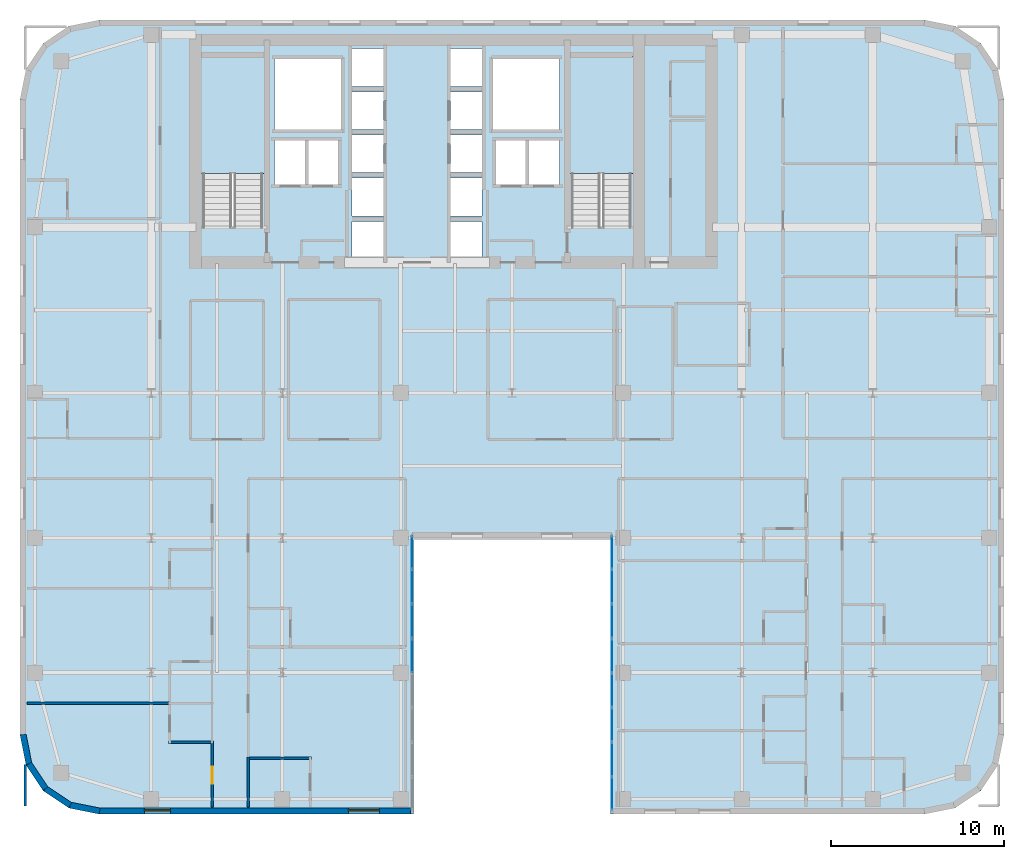
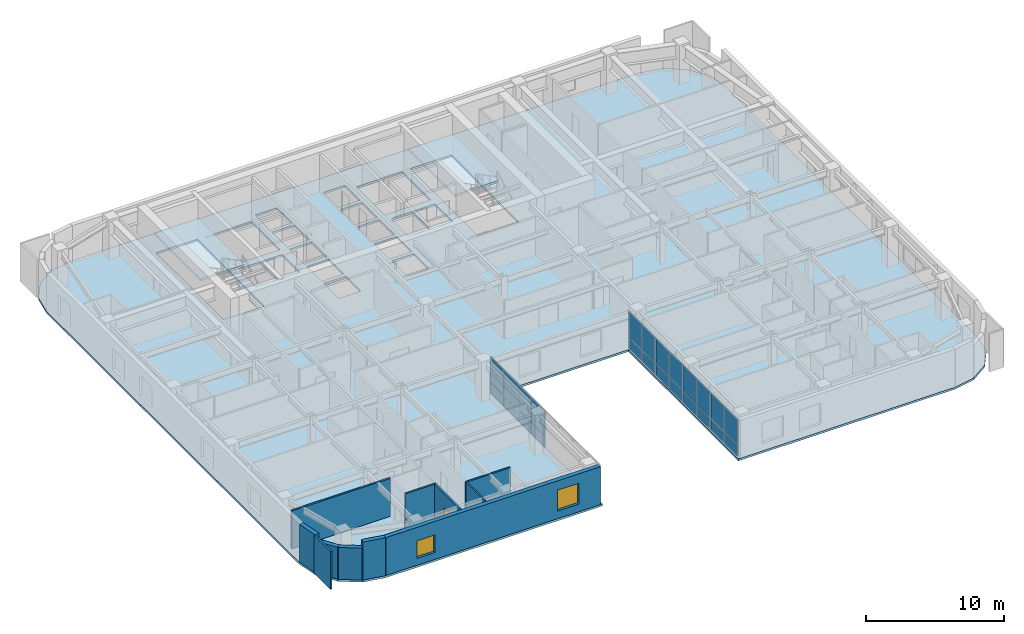
# One storey, part 9 of 16: 24 plates, 11 walls, 3 slabs, 2 windows, 1 door, 3 openings, 4 elements without a shape of their own.
"""IFC4 building model written with IfcOpenShell, lengths in metres."""

import ifcopenshell
import ifcopenshell.guid

model = None  # the IFC model being written
_history = None  # IfcOwnerHistory: only IFC2X3 demands one
_inside = {}  # id of a spatial element -> (the spatial element, [elements in it])
_under = {}  # id of a project, library or spatial element -> (it, [spatial elements below it])
_declared = {}  # id of a project -> (the project, [libraries it declares])
_typed = {}  # id of a type object -> (the type object, [elements of that type])
_made_of = {}  # id of a material, layer set ... -> (it, [elements and type objects made of it])


def new_model(schema):
    """Start an empty IFC model of exactly this schema.

    Asked for "IFC4X3", IfcOpenShell would pick the latest addendum, in which some entities
    have other attributes; the version numbers below select the first issue.
    IFC2X3 requires an IfcOwnerHistory on every rooted entity: one is made here for all.
    """
    global model, _history
    if schema == "IFC4X3":
        model = ifcopenshell.file(schema_version=(4, 3, 0, 0))
    else:
        model = ifcopenshell.file(schema=schema)
    _inside.clear()
    _under.clear()
    _declared.clear()
    _typed.clear()
    _made_of.clear()
    _history = None
    if model.schema == "IFC2X3":
        org = make("IfcOrganization", Name="unknown")
        user = make(
            "IfcPersonAndOrganization",
            ThePerson=make("IfcPerson", FamilyName="unknown"),
            TheOrganization=org,
        )
        app = make(
            "IfcApplication",
            ApplicationDeveloper=org,
            Version="unknown",
            ApplicationFullName="unknown",
            ApplicationIdentifier="unknown",
        )
        _history = make(
            "IfcOwnerHistory",
            OwningUser=user,
            OwningApplication=app,
            ChangeAction="ADDED",
            CreationDate=0,
        )
    return model


def make(cls, **values):
    """One entity of the class cls with the attributes given. An attribute that is None is left unset."""
    return model.create_entity(
        cls, **{name: value for name, value in values.items() if value is not None}
    )


def rooted(cls, **values):
    """An entity with a GlobalId (a new one), such as an element, a storey or a relation."""
    return make(cls, GlobalId=ifcopenshell.guid.new(), OwnerHistory=_history, **values)


def si_unit(unit_type, name, prefix=None):
    """IfcSIUnit, for example si_unit("LENGTHUNIT", "METRE", prefix="MILLI")."""
    return make("IfcSIUnit", UnitType=unit_type, Prefix=prefix, Name=name)


def assignment(units):
    """IfcUnitAssignment: the units of a project."""
    return None if units is None else make("IfcUnitAssignment", Units=units)


def point(xyz):
    """IfcCartesianPoint."""
    return None if xyz is None else make("IfcCartesianPoint", Coordinates=xyz)


def direction(xyz):
    """IfcDirection."""
    return None if xyz is None else make("IfcDirection", DirectionRatios=xyz)


def frame(location, z_axis=None, x_axis=None):
    """IfcAxis2Placement3D, a coordinate frame: its origin and axes. An axis left out is left unset."""
    return make(
        "IfcAxis2Placement3D",
        Location=point(location),
        Axis=direction(z_axis),
        RefDirection=direction(x_axis),
    )


def frame_2d(location, x_axis=None):
    """IfcAxis2Placement2D, a coordinate frame in the plane: its origin and x axis."""
    return make(
        "IfcAxis2Placement2D", Location=point(location), RefDirection=direction(x_axis)
    )


def origin():
    """The frame at (0, 0, 0) with its axes left unset."""
    return frame((0.0, 0.0, 0.0))


def origin_2d():
    """The frame at (0, 0) in the plane with its x axis left unset."""
    return frame_2d((0.0, 0.0))


def place(relative_to, where):
    """IfcLocalPlacement: puts the frame where relative to a parent placement (None: the world)."""
    return make(
        "IfcLocalPlacement", PlacementRelTo=relative_to, RelativePlacement=where
    )


def context(
    kind, dimensions, precision=None, world=None, true_north=None, identifier=None
):
    """IfcGeometricRepresentationContext, for example the 3D "Model" context."""
    return make(
        "IfcGeometricRepresentationContext",
        ContextIdentifier=identifier,
        ContextType=kind,
        CoordinateSpaceDimension=dimensions,
        Precision=precision,
        WorldCoordinateSystem=world,
        TrueNorth=true_north,
    )


def subcontext(parent, identifier, kind, view, scale=None):
    """IfcGeometricRepresentationSubContext, for example "Body" below "Model"."""
    return make(
        "IfcGeometricRepresentationSubContext",
        ContextIdentifier=identifier,
        ContextType=kind,
        ParentContext=parent,
        TargetScale=scale,
        TargetView=view,
    )


def project(units=None, contexts=None):
    """IfcProject with its units and contexts."""
    return rooted(
        "IfcProject",
        Name="project",
        RepresentationContexts=contexts,
        UnitsInContext=assignment(units),
    )


def spatial(cls, under=None, at=None, **own):
    """A site, building, storey or space (cls), placed at a placement, below another one or the project."""
    s = rooted(cls, ObjectPlacement=at, **own)
    if under is not None:
        _under.setdefault(under.id(), (under, []))[1].append(s)
    return s


def polyline(points):
    """IfcPolyline through the points."""
    return make("IfcPolyline", Points=[point(p) for p in points])


def profile(cls, at=None, kind="AREA", **sizes):
    """A parametric profile (cls). Its sizes go by their IFC names, for example OverallWidth=200.0."""
    return make(cls, ProfileType=kind, Position=at, **sizes)


def rectangle(**sizes):
    """IfcRectangleProfileDef."""
    return profile("IfcRectangleProfileDef", **sizes)


def outline(outer, holes=None, kind="AREA"):
    """IfcArbitraryClosedProfileDef: a profile drawn as a closed curve; with holes, ...WithVoids."""
    if holes is None:
        return make("IfcArbitraryClosedProfileDef", ProfileType=kind, OuterCurve=outer)
    return make(
        "IfcArbitraryProfileDefWithVoids",
        ProfileType=kind,
        OuterCurve=outer,
        InnerCurves=holes,
    )


def extrude(swept, where, along, depth):
    """IfcExtrudedAreaSolid: the profile swept, set in the frame where, extruded along a direction by depth."""
    return make(
        "IfcExtrudedAreaSolid",
        SweptArea=swept,
        Position=where,
        ExtrudedDirection=direction(along),
        Depth=depth,
    )


def shape(context_of_items, identifier, shape_type, items):
    """IfcShapeRepresentation: the items that make up one representation, for example the "Body"."""
    return make(
        "IfcShapeRepresentation",
        ContextOfItems=context_of_items,
        RepresentationIdentifier=identifier,
        RepresentationType=shape_type,
        Items=items,
    )


def source(mapping_origin, context_of_items, identifier, shape_type, items):
    """IfcRepresentationMap: a shape defined once, which mapped items show again and again."""
    return make(
        "IfcRepresentationMap",
        MappingOrigin=mapping_origin,
        MappedRepresentation=shape(context_of_items, identifier, shape_type, items),
    )


def transform(
    local_origin,
    x_axis=None,
    y_axis=None,
    z_axis=None,
    scale=None,
    scale2=None,
    scale3=None,
    uniform=True,
):
    """IfcCartesianTransformationOperator3D, or its non-uniform kind. x_axis, y_axis, z_axis: its Axis1, 2, 3."""
    if uniform:
        return make(
            "IfcCartesianTransformationOperator3D",
            Axis1=direction(x_axis),
            Axis2=direction(y_axis),
            LocalOrigin=point(local_origin),
            Scale=scale,
            Axis3=direction(z_axis),
        )
    return make(
        "IfcCartesianTransformationOperator3DnonUniform",
        Axis1=direction(x_axis),
        Axis2=direction(y_axis),
        LocalOrigin=point(local_origin),
        Scale=scale,
        Axis3=direction(z_axis),
        Scale2=scale2,
        Scale3=scale3,
    )


def mapped(mapping_source, mapping_target):
    """IfcMappedItem: shows the shape of a source again, moved by a transform."""
    return make(
        "IfcMappedItem", MappingSource=mapping_source, MappingTarget=mapping_target
    )


def material(Name=None, Category=None):
    """IfcMaterial."""
    return make("IfcMaterial", Name=Name, Category=Category)


def layer(
    of_material, thickness, ventilated=None, Name=None, Category=None, Priority=None
):
    """IfcMaterialLayer: one layer of a wall or slab, of a material (None: an air gap)."""
    return make(
        "IfcMaterialLayer",
        Material=of_material,
        LayerThickness=thickness,
        IsVentilated=ventilated,
        Name=Name,
        Category=Category,
        Priority=Priority,
    )


def layer_set(layers, Name=None):
    """IfcMaterialLayerSet."""
    return make("IfcMaterialLayerSet", MaterialLayers=layers, LayerSetName=Name)


def made_of(thing, what):
    """Note that an element or type object is made of a material, layer set ...; save() writes the relation."""
    if what is not None:
        _made_of.setdefault(what.id(), (what, []))[1].append(thing)
    return thing


def type_object(cls, material=None, **own):
    """A type object (cls), such as IfcWallType, which elements share."""
    return made_of(rooted(cls, **own), material)


def type_shapes(of_type, sources):
    """Give a type object the sources (RepresentationMaps) that its elements show as mapped items."""
    of_type.RepresentationMaps = sources


def element(
    cls,
    number,
    at=None,
    inside=None,
    cuts=None,
    type_object=None,
    material=None,
    context=None,
    identifier="Body",
    shape_type=None,
    held_by="IfcProductDefinitionShape",
    body=None,
    shapes=None,
    **own,
):
    """One element of the class cls, such as IfcWall. Its Tag is "e" and its number.

    at: its placement. inside: the storey or other place that contains it. cuts: it is an
    opening in that element (IfcRelVoidsElement). A single representation is given by context,
    identifier, shape_type and body (its items); several are given by shapes. held_by: the class
    of the entity that holds the representations. save() writes the other relations.
    """
    e = rooted(cls, Tag="e%d" % number, ObjectPlacement=at, **own)
    if body is not None:
        shapes = [shape(context, identifier, shape_type, body)]
    if shapes is not None:
        e.Representation = make(held_by, Representations=shapes)
    if inside is not None:
        _inside.setdefault(inside.id(), (inside, []))[1].append(e)
    if cuts is not None:
        rooted(
            "IfcRelVoidsElement", RelatingBuildingElement=cuts, RelatedOpeningElement=e
        )
    if type_object is not None:
        _typed.setdefault(type_object.id(), (type_object, []))[1].append(e)
    return made_of(e, material)


def fill(opening, filler):
    """IfcRelFillsElement: the door or window that sits in an opening."""
    return rooted(
        "IfcRelFillsElement",
        RelatingOpeningElement=opening,
        RelatedBuildingElement=filler,
    )


def aggregate(whole, parts):
    """IfcRelAggregates: a whole, such as a stair, and the parts it consists of."""
    return rooted("IfcRelAggregates", RelatingObject=whole, RelatedObjects=parts)


def save(model, path):
    """Write the relations noted so far, then the file.

    IfcRelAggregates (storeys below a building ...), IfcRelContainedInSpatialStructure (elements
    in a storey), IfcRelDefinesByType, IfcRelAssociatesMaterial and IfcRelDeclares: one each for
    every whole, place, type object, material and project.
    """
    for whole, parts in _under.values():
        aggregate(whole, parts)
    for where, things in _inside.values():
        rooted(
            "IfcRelContainedInSpatialStructure",
            RelatedElements=things,
            RelatingStructure=where,
        )
    for kind, things in _typed.values():
        rooted("IfcRelDefinesByType", RelatedObjects=things, RelatingType=kind)
    for what, things in _made_of.values():
        rooted("IfcRelAssociatesMaterial", RelatedObjects=things, RelatingMaterial=what)
    for by, libraries in _declared.values():
        rooted("IfcRelDeclares", RelatingContext=by, RelatedDefinitions=libraries)
    model.write(path)


model = new_model("IFC4")

# Units and contexts
model_context = context("Model", 3, precision=1e-05, world=origin(), true_north=direction((0.0, 1.0)))
body_context = subcontext(model_context, "Body", "Model", "MODEL_VIEW")
ifc_project = project(units=[si_unit("LENGTHUNIT", "METRE"), si_unit("AREAUNIT", "SQUARE_METRE"), si_unit("VOLUMEUNIT", "CUBIC_METRE"), si_unit("PLANEANGLEUNIT", "RADIAN"), si_unit("MASSUNIT", "GRAM", prefix="KILO")], contexts=[model_context])

# Site, building, storey
site_placement = place(None, origin())
site = spatial("IfcSite", under=ifc_project, at=site_placement, CompositionType="ELEMENT")
building_placement = place(site_placement, origin())
building = spatial("IfcBuilding", under=site, at=building_placement, Name="Tolvann Quenvar Hotel", CompositionType="ELEMENT")
storey_placement = place(building_placement, frame((0.0, 0.0, 115.10009765625)))
storey = spatial("IfcBuildingStorey", under=building, at=storey_placement, Name="L29", CompositionType="ELEMENT", Elevation=115.10009765625)

# Stair, slab
ifc_material_1 = material(Name="Concrete N40 (40 MPa)", Category="concrete")
stair_type = type_object("IfcStairType", Name="STAIR", PredefinedType="HALF_TURN_STAIR", material=ifc_material_1)
stair_1_placement = place(storey_placement, origin())
stair_1 = element("IfcStair", 1, at=stair_1_placement, inside=storey, type_object=stair_type, Name="L29 ST-C1", PredefinedType="HALF_TURN_STAIR")
ifc_layer_1 = layer(ifc_material_1, 0.199951171875)
ifc_layer_set_1 = layer_set([ifc_layer_1], Name="Concrete N40 (40 MPa)")
slab_type_1 = type_object("IfcSlabType", Name="SLAB_LANDING", PredefinedType="LANDING", material=ifc_layer_set_1)
slab_1_placement = place(storey_placement, frame((0.0, 0.0, 1.574951171875)))
slab_1 = element("IfcSlab", 2, at=slab_1_placement, type_object=slab_type_1, Name="ST-C1 landing 1", PredefinedType="LANDING", context=body_context, shape_type="SweptSolid", body=[
    extrude(outline(polyline([(14.179931640625, 37.10498046875), (14.179931640625, 43.8798828125), (10.469970703125, 43.8798828125), (10.469970703125, 37.10498046875), (14.179931640625, 37.10498046875)])), origin(), (0.0, 0.0, 1.0), 0.199951171875),
])
aggregate(stair_1, [slab_1])

stair_2_placement = place(storey_placement, origin())
stair_2 = element("IfcStair", 3, at=stair_2_placement, inside=storey, type_object=stair_type, Name="L29 ST-C2", PredefinedType="HALF_TURN_STAIR")
slab_2_placement = place(storey_placement, frame((0.0, 0.0, 1.574951171875)))
slab_2 = element("IfcSlab", 4, at=slab_2_placement, type_object=slab_type_1, Name="ST-C2 landing 1", PredefinedType="LANDING", context=body_context, shape_type="SweptSolid", body=[
    extrude(outline(polyline([(35.530029296875, 37.10498046875), (35.530029296875, 43.8798828125), (31.820068359375, 43.8798828125), (31.820068359375, 37.10498046875), (35.530029296875, 37.10498046875)])), origin(), (0.0, 0.0, 1.0), 0.199951171875),
])
aggregate(stair_2, [slab_2])

# Slab
ifc_layer_2 = layer(ifc_material_1, 0.179931640625)
ifc_layer_set_2 = layer_set([ifc_layer_2], Name="Concrete N40 (40 MPa)")
slab_type_2 = type_object("IfcSlabType", Name="SLAB_TWR_180", PredefinedType="FLOOR", material=ifc_layer_set_2)
slab_3_placement = place(storey_placement, frame((0.0, 0.0, -0.18017578125)))
element("IfcSlab", 5, at=slab_3_placement, inside=storey, type_object=slab_type_2, Name="Level L29 Structural Floor Slab", PredefinedType="FLOOR", context=body_context, shape_type="SweptSolid", body=[
    extrude(outline(polyline([(0.0, 4.60009765625), (0.35009765625, 2.839599609375), (1.347412109375, 1.347412109375), (2.839599609375, 0.35009765625), (4.60009765625, 0.0), (22.800048828125, 0.0), (22.800048828125, 16.0), (34.199951171875, 16.0), (34.199951171875, 0.0), (52.39990234375, 0.0), (54.160400390625, 0.35009765625), (55.652587890625, 1.347412109375), (56.64990234375, 2.839599609375), (57.0, 4.60009765625), (57.0, 41.39990234375), (56.64990234375, 43.160400390625), (55.652587890625, 44.652587890625), (54.160400390625, 45.64990234375), (52.39990234375, 46.0), (4.60009765625, 46.0), (2.839599609375, 45.64990234375), (1.347412109375, 44.652587890625), (0.35009765625, 43.160400390625), (0.0, 41.39990234375), (0.0, 4.60009765625)]), holes=[polyline([(31.949951171875, 34.02490234375), (31.949951171875, 43.800048828125), (35.39990234375, 43.800048828125), (35.39990234375, 34.02490234375), (31.949951171875, 34.02490234375)]), polyline([(29.449951171875, 39.02001953125), (31.25, 39.02001953125), (31.25, 36.47998046875), (29.449951171875, 36.47998046875), (29.449951171875, 39.02001953125)]), polyline([(31.25, 43.75), (31.25, 39.64990234375), (27.39990234375, 39.64990234375), (27.39990234375, 43.75), (31.25, 43.75)]), polyline([(27.574951171875, 39.02001953125), (29.324951171875, 39.02001953125), (29.324951171875, 36.47998046875), (27.574951171875, 36.47998046875), (27.574951171875, 39.02001953125)]), polyline([(26.77001953125, 44.340087890625), (26.77001953125, 42.159912109375), (24.929931640625, 42.159912109375), (24.929931640625, 44.340087890625), (26.77001953125, 44.340087890625)]), polyline([(24.929931640625, 41.840087890625), (26.77001953125, 41.840087890625), (26.77001953125, 39.659912109375), (24.929931640625, 39.659912109375), (24.929931640625, 41.840087890625)]), polyline([(24.929931640625, 39.340087890625), (26.77001953125, 39.340087890625), (26.77001953125, 37.159912109375), (24.929931640625, 37.159912109375), (24.929931640625, 39.340087890625)]), polyline([(24.929931640625, 36.840087890625), (26.77001953125, 36.840087890625), (26.77001953125, 34.659912109375), (24.929931640625, 34.659912109375), (24.929931640625, 36.840087890625)]), polyline([(24.929931640625, 34.340087890625), (26.77001953125, 34.340087890625), (26.77001953125, 32.159912109375), (24.929931640625, 32.159912109375), (24.929931640625, 34.340087890625)]), polyline([(21.070068359375, 44.340087890625), (21.070068359375, 42.159912109375), (19.22998046875, 42.159912109375), (19.22998046875, 44.340087890625), (21.070068359375, 44.340087890625)]), polyline([(19.22998046875, 41.840087890625), (21.070068359375, 41.840087890625), (21.070068359375, 39.659912109375), (19.22998046875, 39.659912109375), (19.22998046875, 41.840087890625)]), polyline([(19.22998046875, 39.340087890625), (21.070068359375, 39.340087890625), (21.070068359375, 37.159912109375), (19.22998046875, 37.159912109375), (19.22998046875, 39.340087890625)]), polyline([(19.22998046875, 36.840087890625), (21.070068359375, 36.840087890625), (21.070068359375, 34.659912109375), (19.22998046875, 34.659912109375), (19.22998046875, 36.840087890625)]), polyline([(19.22998046875, 34.340087890625), (21.070068359375, 34.340087890625), (21.070068359375, 32.159912109375), (19.22998046875, 32.159912109375), (19.22998046875, 34.340087890625)]), polyline([(18.60009765625, 43.75), (18.60009765625, 39.64990234375), (14.75, 39.64990234375), (14.75, 43.75), (18.60009765625, 43.75)]), polyline([(16.675048828125, 39.02001953125), (18.425048828125, 39.02001953125), (18.425048828125, 36.47998046875), (16.675048828125, 36.47998046875), (16.675048828125, 39.02001953125)]), polyline([(14.75, 39.02001953125), (16.550048828125, 39.02001953125), (16.550048828125, 36.47998046875), (14.75, 36.47998046875), (14.75, 39.02001953125)]), polyline([(10.60009765625, 34.02490234375), (10.60009765625, 43.800048828125), (14.050048828125, 43.800048828125), (14.050048828125, 34.02490234375), (10.60009765625, 34.02490234375)])]), origin(), (0.0, 0.0, 1.0), 0.18017578125),
])

# Curtain wall, plate
ifc_material_2 = material(Name="Thermally broken anodised architectural aluminium 6063-T6 and laminated low-E glass", Category="aluminium")
ifc_layer_3 = layer(ifc_material_2, 0.179931640625)
ifc_layer_set_3 = layer_set([ifc_layer_3], Name="Thermally broken anodised architectural aluminium 6063-T6 and laminated low-E glass")
curtain_wall_type = type_object("IfcCurtainWallType", Name="CW_SYS_SLOT_03", PredefinedType="USERDEFINED", material=ifc_layer_set_3)
curtain_wall_1_placement = place(storey_placement, origin())
curtain_wall_1 = element("IfcCurtainWall", 6, at=curtain_wall_1_placement, inside=storey, type_object=curtain_wall_type, Name="Curtain Wall CW-SLOT-03 (CWR-L29-E05)", ObjectType="UNITISED CURTAIN WALL", PredefinedType="USERDEFINED")
ifc_material_3 = material(Name="Low-iron laminated double glazing with solar-control coating", Category="glass")
ifc_layer_4 = layer(ifc_material_3, 0.028076171875)
ifc_layer_set_4 = layer_set([ifc_layer_4], Name="Low-iron laminated double glazing with solar-control coating")
plate_type = type_object("IfcPlateType", Name="CW_PAN_VISION_28", PredefinedType="CURTAIN_PANEL", material=ifc_layer_set_4)
shared_shape_1 = source(origin(), body_context, "Body", "SweptSolid", [
    extrude(rectangle(XDim=1.89501953125, YDim=0.028076171875, at=origin_2d()), origin(), (0.0, 0.0, 1.0), 0.9599609375),
])
plate_1_placement = place(storey_placement, frame((22.7099609375, 15.157470703125, 0.059814453125), z_axis=(0.0, 0.0, 1.0), x_axis=(0.0, 1.0, 0.0)))
plate_1 = element("IfcPlate", 7, at=plate_1_placement, type_object=plate_type, Name="CW-SLOT-03 panel 8.1", PredefinedType="CURTAIN_PANEL", context=body_context, shape_type="MappedRepresentation", body=[
    mapped(shared_shape_1, transform((0.0, 0.0, 0.0), x_axis=(1.0, 0.0, 0.0), y_axis=(0.0, 1.0, 0.0), z_axis=(0.0, 0.0, 1.0), scale=1.0)),
])

# Curtain wall, plates
curtain_wall_2_placement = place(storey_placement, origin())
curtain_wall_2 = element("IfcCurtainWall", 8, at=curtain_wall_2_placement, inside=storey, type_object=curtain_wall_type, Name="Curtain Wall CW-SLOT-03 (CWR-L29-E07)", ObjectType="UNITISED CURTAIN WALL", PredefinedType="USERDEFINED")
plate_2_placement = place(storey_placement, frame((34.2900390625, 15.157470703125, 0.059814453125), z_axis=(0.0, 0.0, 1.0), x_axis=(0.0, -1.0, 0.0)))
plate_2 = element("IfcPlate", 9, at=plate_2_placement, type_object=plate_type, Name="CW-SLOT-03 panel 1.1", PredefinedType="CURTAIN_PANEL", context=body_context, shape_type="MappedRepresentation", body=[
    mapped(shared_shape_1, transform((0.0, 0.0, 0.0), x_axis=(1.0, 0.0, 0.0), y_axis=(0.0, 1.0, 0.0), z_axis=(0.0, 0.0, 1.0), scale=1.0)),
])
plate_3_placement = place(storey_placement, frame((34.2900390625, 1.1923828125, 0.059814453125), z_axis=(0.0, 0.0, 1.0), x_axis=(0.0, -1.0, 0.0)))
plate_3 = element("IfcPlate", 10, at=plate_3_placement, type_object=plate_type, Name="CW-SLOT-03 panel 8.1", PredefinedType="CURTAIN_PANEL", context=body_context, shape_type="MappedRepresentation", body=[
    mapped(shared_shape_1, transform((0.0, 0.0, 0.0), x_axis=(1.0, 0.0, 0.0), y_axis=(0.0, 1.0, 0.0), z_axis=(0.0, 0.0, 1.0), scale=1.0)),
])

# Plate
shared_shape_2 = source(origin(), body_context, "Body", "SweptSolid", [
    extrude(rectangle(XDim=1.89501953125, YDim=0.028076171875, at=origin_2d()), origin(), (0.0, 0.0, 1.0), 2.22998046875),
])
plate_4_placement = place(storey_placement, frame((22.7099609375, 15.157470703125, 1.079833984375), z_axis=(0.0, 0.0, 1.0), x_axis=(0.0, 1.0, 0.0)))
plate_4 = element("IfcPlate", 11, at=plate_4_placement, type_object=plate_type, Name="CW-SLOT-03 panel 8.2", PredefinedType="CURTAIN_PANEL", context=body_context, shape_type="MappedRepresentation", body=[
    mapped(shared_shape_2, transform((0.0, 0.0, 0.0), x_axis=(1.0, 0.0, 0.0), y_axis=(0.0, 1.0, 0.0), z_axis=(0.0, 0.0, 1.0), scale=1.0)),
])

plate_5_placement = place(storey_placement, frame((34.2900390625, 15.157470703125, 1.079833984375), z_axis=(0.0, 0.0, 1.0), x_axis=(0.0, -1.0, 0.0)))
plate_5 = element("IfcPlate", 12, at=plate_5_placement, type_object=plate_type, Name="CW-SLOT-03 panel 1.2", PredefinedType="CURTAIN_PANEL", context=body_context, shape_type="MappedRepresentation", body=[
    mapped(shared_shape_2, transform((0.0, 0.0, 0.0), x_axis=(1.0, 0.0, 0.0), y_axis=(0.0, 1.0, 0.0), z_axis=(0.0, 0.0, 1.0), scale=1.0)),
])

plate_6_placement = place(storey_placement, frame((34.2900390625, 1.1923828125, 1.079833984375), z_axis=(0.0, 0.0, 1.0), x_axis=(0.0, -1.0, 0.0)))
plate_6 = element("IfcPlate", 13, at=plate_6_placement, type_object=plate_type, Name="CW-SLOT-03 panel 8.2", PredefinedType="CURTAIN_PANEL", context=body_context, shape_type="MappedRepresentation", body=[
    mapped(shared_shape_2, transform((0.0, 0.0, 0.0), x_axis=(1.0, 0.0, 0.0), y_axis=(0.0, 1.0, 0.0), z_axis=(0.0, 0.0, 1.0), scale=1.0)),
])

shared_shape_3 = source(origin(), body_context, "Body", "SweptSolid", [
    extrude(rectangle(XDim=1.929931640625, YDim=0.028076171875, at=origin_2d()), origin(), (0.0, 0.0, 1.0), 0.9599609375),
])
plate_7_placement = place(storey_placement, frame((22.7099609375, 9.175048828125, 0.059814453125), z_axis=(0.0, 0.0, 1.0), x_axis=(0.0, 1.0, 0.0)))
plate_7 = element("IfcPlate", 14, at=plate_7_placement, type_object=plate_type, Name="CW-SLOT-03 panel 5.1", PredefinedType="CURTAIN_PANEL", context=body_context, shape_type="MappedRepresentation", body=[
    mapped(shared_shape_3, transform((0.0, 0.0, 0.0), x_axis=(1.0, 0.0, 0.0), y_axis=(0.0, 1.0, 0.0), z_axis=(0.0, 0.0, 1.0), scale=1.0)),
])

plate_8_placement = place(storey_placement, frame((22.7099609375, 11.175048828125, 0.059814453125), z_axis=(0.0, 0.0, 1.0), x_axis=(0.0, 1.0, 0.0)))
plate_8 = element("IfcPlate", 15, at=plate_8_placement, type_object=plate_type, Name="CW-SLOT-03 panel 6.1", PredefinedType="CURTAIN_PANEL", context=body_context, shape_type="MappedRepresentation", body=[
    mapped(shared_shape_3, transform((0.0, 0.0, 0.0), x_axis=(1.0, 0.0, 0.0), y_axis=(0.0, 1.0, 0.0), z_axis=(0.0, 0.0, 1.0), scale=1.0)),
])

plate_9_placement = place(storey_placement, frame((22.7099609375, 13.175048828125, 0.059814453125), z_axis=(0.0, 0.0, 1.0), x_axis=(0.0, 1.0, 0.0)))
plate_9 = element("IfcPlate", 16, at=plate_9_placement, type_object=plate_type, Name="CW-SLOT-03 panel 7.1", PredefinedType="CURTAIN_PANEL", context=body_context, shape_type="MappedRepresentation", body=[
    mapped(shared_shape_3, transform((0.0, 0.0, 0.0), x_axis=(1.0, 0.0, 0.0), y_axis=(0.0, 1.0, 0.0), z_axis=(0.0, 0.0, 1.0), scale=1.0)),
])

plate_10_placement = place(storey_placement, frame((34.2900390625, 13.175048828125, 0.059814453125), z_axis=(0.0, 0.0, 1.0), x_axis=(0.0, -1.0, 0.0)))
plate_10 = element("IfcPlate", 17, at=plate_10_placement, type_object=plate_type, Name="CW-SLOT-03 panel 2.1", PredefinedType="CURTAIN_PANEL", context=body_context, shape_type="MappedRepresentation", body=[
    mapped(shared_shape_3, transform((0.0, 0.0, 0.0), x_axis=(1.0, 0.0, 0.0), y_axis=(0.0, 1.0, 0.0), z_axis=(0.0, 0.0, 1.0), scale=1.0)),
])

plate_11_placement = place(storey_placement, frame((34.2900390625, 11.175048828125, 0.059814453125), z_axis=(0.0, 0.0, 1.0), x_axis=(0.0, -1.0, 0.0)))
plate_11 = element("IfcPlate", 18, at=plate_11_placement, type_object=plate_type, Name="CW-SLOT-03 panel 3.1", PredefinedType="CURTAIN_PANEL", context=body_context, shape_type="MappedRepresentation", body=[
    mapped(shared_shape_3, transform((0.0, 0.0, 0.0), x_axis=(1.0, 0.0, 0.0), y_axis=(0.0, 1.0, 0.0), z_axis=(0.0, 0.0, 1.0), scale=1.0)),
])

plate_12_placement = place(storey_placement, frame((34.2900390625, 9.175048828125, 0.059814453125), z_axis=(0.0, 0.0, 1.0), x_axis=(0.0, -1.0, 0.0)))
plate_12 = element("IfcPlate", 19, at=plate_12_placement, type_object=plate_type, Name="CW-SLOT-03 panel 4.1", PredefinedType="CURTAIN_PANEL", context=body_context, shape_type="MappedRepresentation", body=[
    mapped(shared_shape_3, transform((0.0, 0.0, 0.0), x_axis=(1.0, 0.0, 0.0), y_axis=(0.0, 1.0, 0.0), z_axis=(0.0, 0.0, 1.0), scale=1.0)),
])

plate_13_placement = place(storey_placement, frame((34.2900390625, 7.175048828125, 0.059814453125), z_axis=(0.0, 0.0, 1.0), x_axis=(0.0, -1.0, 0.0)))
plate_13 = element("IfcPlate", 20, at=plate_13_placement, type_object=plate_type, Name="CW-SLOT-03 panel 5.1", PredefinedType="CURTAIN_PANEL", context=body_context, shape_type="MappedRepresentation", body=[
    mapped(shared_shape_3, transform((0.0, 0.0, 0.0), x_axis=(1.0, 0.0, 0.0), y_axis=(0.0, 1.0, 0.0), z_axis=(0.0, 0.0, 1.0), scale=1.0)),
])

plate_14_placement = place(storey_placement, frame((34.2900390625, 5.175048828125, 0.059814453125), z_axis=(0.0, 0.0, 1.0), x_axis=(0.0, -1.0, 0.0)))
plate_14 = element("IfcPlate", 21, at=plate_14_placement, type_object=plate_type, Name="CW-SLOT-03 panel 6.1", PredefinedType="CURTAIN_PANEL", context=body_context, shape_type="MappedRepresentation", body=[
    mapped(shared_shape_3, transform((0.0, 0.0, 0.0), x_axis=(1.0, 0.0, 0.0), y_axis=(0.0, 1.0, 0.0), z_axis=(0.0, 0.0, 1.0), scale=1.0)),
])

plate_15_placement = place(storey_placement, frame((34.2900390625, 3.175048828125, 0.059814453125), z_axis=(0.0, 0.0, 1.0), x_axis=(0.0, -1.0, 0.0)))
plate_15 = element("IfcPlate", 22, at=plate_15_placement, type_object=plate_type, Name="CW-SLOT-03 panel 7.1", PredefinedType="CURTAIN_PANEL", context=body_context, shape_type="MappedRepresentation", body=[
    mapped(shared_shape_3, transform((0.0, 0.0, 0.0), x_axis=(1.0, 0.0, 0.0), y_axis=(0.0, 1.0, 0.0), z_axis=(0.0, 0.0, 1.0), scale=1.0)),
])

shared_shape_4 = source(origin(), body_context, "Body", "SweptSolid", [
    extrude(rectangle(XDim=1.929931640625, YDim=0.028076171875, at=origin_2d()), origin(), (0.0, 0.0, 1.0), 2.22998046875),
])
type_shapes(plate_type, [shared_shape_1, shared_shape_2, shared_shape_3, shared_shape_4])
plate_16_placement = place(storey_placement, frame((22.7099609375, 9.175048828125, 1.079833984375), z_axis=(0.0, 0.0, 1.0), x_axis=(0.0, 1.0, 0.0)))
plate_16 = element("IfcPlate", 23, at=plate_16_placement, type_object=plate_type, Name="CW-SLOT-03 panel 5.2", PredefinedType="CURTAIN_PANEL", context=body_context, shape_type="MappedRepresentation", body=[
    mapped(shared_shape_4, transform((0.0, 0.0, 0.0), x_axis=(1.0, 0.0, 0.0), y_axis=(0.0, 1.0, 0.0), z_axis=(0.0, 0.0, 1.0), scale=1.0)),
])

plate_17_placement = place(storey_placement, frame((22.7099609375, 11.175048828125, 1.079833984375), z_axis=(0.0, 0.0, 1.0), x_axis=(0.0, 1.0, 0.0)))
plate_17 = element("IfcPlate", 24, at=plate_17_placement, type_object=plate_type, Name="CW-SLOT-03 panel 6.2", PredefinedType="CURTAIN_PANEL", context=body_context, shape_type="MappedRepresentation", body=[
    mapped(shared_shape_4, transform((0.0, 0.0, 0.0), x_axis=(1.0, 0.0, 0.0), y_axis=(0.0, 1.0, 0.0), z_axis=(0.0, 0.0, 1.0), scale=1.0)),
])

plate_18_placement = place(storey_placement, frame((22.7099609375, 13.175048828125, 1.079833984375), z_axis=(0.0, 0.0, 1.0), x_axis=(0.0, 1.0, 0.0)))
plate_18 = element("IfcPlate", 25, at=plate_18_placement, type_object=plate_type, Name="CW-SLOT-03 panel 7.2", PredefinedType="CURTAIN_PANEL", context=body_context, shape_type="MappedRepresentation", body=[
    mapped(shared_shape_4, transform((0.0, 0.0, 0.0), x_axis=(1.0, 0.0, 0.0), y_axis=(0.0, 1.0, 0.0), z_axis=(0.0, 0.0, 1.0), scale=1.0)),
])

aggregate(curtain_wall_1, [plate_7, plate_16, plate_8, plate_17, plate_9, plate_18, plate_1, plate_4])

plate_19_placement = place(storey_placement, frame((34.2900390625, 13.175048828125, 1.079833984375), z_axis=(0.0, 0.0, 1.0), x_axis=(0.0, -1.0, 0.0)))
plate_19 = element("IfcPlate", 26, at=plate_19_placement, type_object=plate_type, Name="CW-SLOT-03 panel 2.2", PredefinedType="CURTAIN_PANEL", context=body_context, shape_type="MappedRepresentation", body=[
    mapped(shared_shape_4, transform((0.0, 0.0, 0.0), x_axis=(1.0, 0.0, 0.0), y_axis=(0.0, 1.0, 0.0), z_axis=(0.0, 0.0, 1.0), scale=1.0)),
])

plate_20_placement = place(storey_placement, frame((34.2900390625, 11.175048828125, 1.079833984375), z_axis=(0.0, 0.0, 1.0), x_axis=(0.0, -1.0, 0.0)))
plate_20 = element("IfcPlate", 27, at=plate_20_placement, type_object=plate_type, Name="CW-SLOT-03 panel 3.2", PredefinedType="CURTAIN_PANEL", context=body_context, shape_type="MappedRepresentation", body=[
    mapped(shared_shape_4, transform((0.0, 0.0, 0.0), x_axis=(1.0, 0.0, 0.0), y_axis=(0.0, 1.0, 0.0), z_axis=(0.0, 0.0, 1.0), scale=1.0)),
])

plate_21_placement = place(storey_placement, frame((34.2900390625, 9.175048828125, 1.079833984375), z_axis=(0.0, 0.0, 1.0), x_axis=(0.0, -1.0, 0.0)))
plate_21 = element("IfcPlate", 28, at=plate_21_placement, type_object=plate_type, Name="CW-SLOT-03 panel 4.2", PredefinedType="CURTAIN_PANEL", context=body_context, shape_type="MappedRepresentation", body=[
    mapped(shared_shape_4, transform((0.0, 0.0, 0.0), x_axis=(1.0, 0.0, 0.0), y_axis=(0.0, 1.0, 0.0), z_axis=(0.0, 0.0, 1.0), scale=1.0)),
])

plate_22_placement = place(storey_placement, frame((34.2900390625, 7.175048828125, 1.079833984375), z_axis=(0.0, 0.0, 1.0), x_axis=(0.0, -1.0, 0.0)))
plate_22 = element("IfcPlate", 29, at=plate_22_placement, type_object=plate_type, Name="CW-SLOT-03 panel 5.2", PredefinedType="CURTAIN_PANEL", context=body_context, shape_type="MappedRepresentation", body=[
    mapped(shared_shape_4, transform((0.0, 0.0, 0.0), x_axis=(1.0, 0.0, 0.0), y_axis=(0.0, 1.0, 0.0), z_axis=(0.0, 0.0, 1.0), scale=1.0)),
])

plate_23_placement = place(storey_placement, frame((34.2900390625, 5.175048828125, 1.079833984375), z_axis=(0.0, 0.0, 1.0), x_axis=(0.0, -1.0, 0.0)))
plate_23 = element("IfcPlate", 30, at=plate_23_placement, type_object=plate_type, Name="CW-SLOT-03 panel 6.2", PredefinedType="CURTAIN_PANEL", context=body_context, shape_type="MappedRepresentation", body=[
    mapped(shared_shape_4, transform((0.0, 0.0, 0.0), x_axis=(1.0, 0.0, 0.0), y_axis=(0.0, 1.0, 0.0), z_axis=(0.0, 0.0, 1.0), scale=1.0)),
])

plate_24_placement = place(storey_placement, frame((34.2900390625, 3.175048828125, 1.079833984375), z_axis=(0.0, 0.0, 1.0), x_axis=(0.0, -1.0, 0.0)))
plate_24 = element("IfcPlate", 31, at=plate_24_placement, type_object=plate_type, Name="CW-SLOT-03 panel 7.2", PredefinedType="CURTAIN_PANEL", context=body_context, shape_type="MappedRepresentation", body=[
    mapped(shared_shape_4, transform((0.0, 0.0, 0.0), x_axis=(1.0, 0.0, 0.0), y_axis=(0.0, 1.0, 0.0), z_axis=(0.0, 0.0, 1.0), scale=1.0)),
])

aggregate(curtain_wall_2, [plate_2, plate_5, plate_10, plate_19, plate_11, plate_20, plate_12, plate_21, plate_13, plate_22, plate_14, plate_23, plate_15, plate_24, plate_3, plate_6])

# Walls
ifc_material_4 = material(Name="Kiln-fired red and buff architectural clay brickwork and terracotta masonry", Category="masonry")
ifc_layer_5 = layer(ifc_material_4, 0.35009765625)
ifc_layer_set_5 = layer_set([ifc_layer_5], Name="Kiln-fired red and buff architectural clay brickwork and terracotta masonry")
wall_type_1 = type_object("IfcWallType", Name="WALL_EXT_BRICK_350", PredefinedType="SOLIDWALL", material=ifc_layer_set_5)
for number, where, z_axis, x_axis, name in (
    (32, (0.514892578125, 2.907958984375, 0.0), (0.0, 0.0, 1.0), (0.55554893791, -0.831483840845, 0.0), "Exterior Chicago Brick Wall L29-E01"),
    (33, (1.473388671875, 1.473388671875, 0.0), (0.0, 0.0, 1.0), (0.831483840845, -0.55554893791, 0.0), "Exterior Chicago Brick Wall L29-E02"),
):
    element("IfcWall", number, at=place(storey_placement, frame(where, z_axis=z_axis, x_axis=x_axis)), inside=storey, type_object=wall_type_1, Name=name, PredefinedType="SOLIDWALL", context=body_context, shape_type="SweptSolid", body=[
        extrude(rectangle(XDim=1.725341796875, YDim=0.35009765625, at=frame_2d((0.86279296875, 0.0))), origin(), (0.0, 0.0, 1.0), 2.831787109375),
    ])
wall_1_placement = place(storey_placement, frame((2.907958984375, 0.514892578125, 0.0), z_axis=(0.0, 0.0, 1.0), x_axis=(0.980800971659, -0.195011420161, 0.0)))
element("IfcWall", 34, at=wall_1_placement, inside=storey, type_object=wall_type_1, Name="Exterior Chicago Brick Wall L29-E03", PredefinedType="SOLIDWALL", context=body_context, shape_type="SweptSolid", body=[
    extrude(rectangle(XDim=1.74267578125, YDim=0.35009765625, at=frame_2d((0.871337890625, 0.0))), origin(), (0.0, 0.0, 1.0), 3.369873046875),
])

# Wall, openings, windows
wall_2_placement = place(storey_placement, frame((4.6171875, 0.175048828125, 0.0), z_axis=(0.0, 0.0, 1.0), x_axis=(1.0, 0.0, 0.0)))
wall_2 = element("IfcWall", 35, at=wall_2_placement, inside=storey, type_object=wall_type_1, Name="Exterior Chicago Brick Wall L29-E04", PredefinedType="SOLIDWALL", context=body_context, shape_type="SweptSolid", body=[
    extrude(rectangle(XDim=18.0078125, YDim=0.35009765625, at=frame_2d((9.00390625, 0.0))), origin(), (0.0, 0.0, 1.0), 3.369873046875),
])
opening_1_placement = place(wall_2_placement, frame((14.406982421875, 0.0, 0.679931640625)))
opening_1 = element("IfcOpeningElement", 36, at=opening_1_placement, cuts=wall_2, Name="Opening W-03", PredefinedType="OPENING", context=body_context, shape_type="SweptSolid", body=[
    extrude(rectangle(XDim=1.800048828125, YDim=1.85009765625, at=frame_2d((0.89990234375, 0.925048828125))), frame((0.0, 0.18505859375, 0.0), z_axis=(0.0, -1.0, 0.0), x_axis=(1.0, 0.0, 0.0)), (0.0, 0.0, 1.0), 0.3701171875),
])
opening_2_placement = place(wall_2_placement, frame((2.591064453125, 0.0, 0.6201171875)))
opening_2 = element("IfcOpeningElement", 37, at=opening_2_placement, cuts=wall_2, Name="Opening W-08", PredefinedType="OPENING", context=body_context, shape_type="SweptSolid", body=[
    extrude(rectangle(XDim=1.5, YDim=1.550048828125, at=frame_2d((0.75, 0.77490234375))), frame((0.0, 0.18505859375, 0.0), z_axis=(0.0, -1.0, 0.0), x_axis=(1.0, 0.0, 0.0)), (0.0, 0.0, 1.0), 0.3701171875),
])
ifc_material_5 = material(Name="Thermally broken bronze-anodised aluminium frame with double low-E glazing", Category="aluminium")
window_type_1 = type_object("IfcWindowType", Name="WIN_COR_1500x2050", PartitioningType="SINGLE_PANEL", PredefinedType="WINDOW", material=ifc_material_5)
shared_shape_5 = source(origin(), body_context, "Body", "SweptSolid", [
    extrude(rectangle(XDim=1.5, YDim=1.550048828125, at=frame_2d((0.75, 0.77490234375))), frame((0.0, 0.090087890625, 0.0), z_axis=(0.0, -1.0, 0.0), x_axis=(1.0, 0.0, 0.0)), (0.0, 0.0, 1.0), 0.06005859375),
])
type_shapes(window_type_1, [shared_shape_5])
window_1_placement = place(opening_2_placement, origin())
window_1 = element("IfcWindow", 38, at=window_1_placement, inside=storey, type_object=window_type_1, Name="Chicago Window W-08 (EW-L29-E04-WD02)", OverallHeight=1.550048828125, OverallWidth=1.5, PartitioningType="SINGLE_PANEL", PredefinedType="WINDOW", context=body_context, shape_type="MappedRepresentation", body=[
    mapped(shared_shape_5, transform((0.0, 0.0, 0.0), x_axis=(1.0, 0.0, 0.0), y_axis=(0.0, 1.0, 0.0), z_axis=(0.0, 0.0, 1.0), scale=1.0)),
])
fill(opening_2, window_1)
window_type_2 = type_object("IfcWindowType", Name="WIN_CHI_1800x2050", PartitioningType="TRIPLE_PANEL_HORIZONTAL", PredefinedType="WINDOW", material=ifc_material_5)
shared_shape_6 = source(origin(), body_context, "Body", "SweptSolid", [
    extrude(rectangle(XDim=1.800048828125, YDim=1.85009765625, at=frame_2d((0.89990234375, 0.925048828125))), frame((0.0, 0.090087890625, 0.0), z_axis=(0.0, -1.0, 0.0), x_axis=(1.0, 0.0, 0.0)), (0.0, 0.0, 1.0), 0.06005859375),
])
type_shapes(window_type_2, [shared_shape_6])
window_2_placement = place(opening_1_placement, origin())
window_2 = element("IfcWindow", 39, at=window_2_placement, inside=storey, type_object=window_type_2, Name="Chicago Window W-03 (EW-L29-E04-W01)", OverallHeight=1.85009765625, OverallWidth=1.800048828125, PartitioningType="TRIPLE_PANEL_HORIZONTAL", PredefinedType="WINDOW", context=body_context, shape_type="MappedRepresentation", body=[
    mapped(shared_shape_6, transform((0.0, 0.0, 0.0), x_axis=(1.0, 0.0, 0.0), y_axis=(0.0, 1.0, 0.0), z_axis=(0.0, 0.0, 1.0), scale=1.0)),
])
fill(opening_1, window_2)

# Walls
wall_3_placement = place(storey_placement, frame((0.175048828125, 4.6171875, 0.0), z_axis=(0.0, 0.0, 1.0), x_axis=(0.195011420161, -0.980800971659, 0.0)))
element("IfcWall", 40, at=wall_3_placement, inside=storey, type_object=wall_type_1, Name="Exterior Chicago Brick Wall L29-E24", PredefinedType="SOLIDWALL", context=body_context, shape_type="SweptSolid", body=[
    extrude(rectangle(XDim=1.74267578125, YDim=0.35009765625, at=frame_2d((0.871337890625, 0.0))), origin(), (0.0, 0.0, 1.0), 3.369873046875),
])
ifc_material_6 = material(Name="Moisture-resistant acoustic plumbing wall assembly")
ifc_layer_6 = layer(ifc_material_6, 0.1201171875)
ifc_layer_set_6 = layer_set([ifc_layer_6], Name="Moisture-resistant acoustic plumbing wall assembly")
wall_type_2 = type_object("IfcWallType", Name="WALL_PART_BATH_120", PredefinedType="PLUMBINGWALL", material=ifc_layer_set_6)
wall_4_placement = place(storey_placement, frame((13.219970703125, 0.405029296875, 0.0), z_axis=(0.0, 0.0, 1.0), x_axis=(0.0, 1.0, 0.0)))
element("IfcWall", 41, at=wall_4_placement, inside=storey, type_object=wall_type_2, Name="Non-Rated Plumbing Partition PT-SPC-L29-ENS-WI01-W", PredefinedType="PLUMBINGWALL", context=body_context, shape_type="SweptSolid", body=[
    extrude(rectangle(XDim=2.89501953125, YDim=0.1201171875, at=frame_2d((1.447509765625, 0.0))), origin(), (0.0, 0.0, 1.0), 3.369873046875),
])
ifc_material_7 = material(Name="Acoustic twin-stud fire-rated gypsum plasterboard partition")
ifc_layer_7 = layer(ifc_material_7, 0.14990234375)
ifc_layer_set_7 = layer_set([ifc_layer_7], Name="Acoustic twin-stud fire-rated gypsum plasterboard partition")
wall_type_3 = type_object("IfcWallType", Name="WALL_PART_SUITE_150", PredefinedType="PARTITIONING", material=ifc_layer_set_7)
wall_5_placement = place(storey_placement, frame((8.610107421875, 4.169921875, 0.0), z_axis=(0.0, 0.0, 1.0), x_axis=(1.0, 0.0, 0.0)))
element("IfcWall", 42, at=wall_5_placement, inside=storey, type_object=wall_type_3, Name="Interior Partition PT-SPC-L29-ENS-WO01-S", PredefinedType="PARTITIONING", context=body_context, shape_type="SweptSolid", body=[
    extrude(rectangle(XDim=2.58984375, YDim=0.14990234375, at=frame_2d((1.294921875, 0.0))), origin(), (0.0, 0.0, 1.0), 3.369873046875),
])
wall_6_placement = place(storey_placement, frame((13.14990234375, 3.22998046875, 0.0), z_axis=(0.0, 0.0, 1.0), x_axis=(1.0, 0.0, 0.0)))
element("IfcWall", 43, at=wall_6_placement, inside=storey, type_object=wall_type_3, Name="Interior Partition PT-SPC-L29-ENS-WI01-N", PredefinedType="PARTITIONING", context=body_context, shape_type="SweptSolid", body=[
    extrude(rectangle(XDim=3.739990234375, YDim=0.14990234375, at=frame_2d((1.8701171875, 0.0))), origin(), (0.0, 0.0, 1.0), 3.369873046875),
])

# Wall, opening, door
wall_7_placement = place(storey_placement, frame((11.1298828125, 0.405029296875, 0.0), z_axis=(0.0, 0.0, 1.0), x_axis=(0.0, 1.0, 0.0)))
wall_7 = element("IfcWall", 44, at=wall_7_placement, inside=storey, type_object=wall_type_3, Name="Interior Partition PT-SPC-L29-RM-WO01-ENT", PredefinedType="PARTITIONING", context=body_context, shape_type="SweptSolid", body=[
    extrude(rectangle(XDim=3.68505859375, YDim=0.14990234375, at=frame_2d((1.842529296875, 0.0))), origin(), (0.0, 0.0, 1.0), 3.369873046875),
])
opening_3_placement = place(wall_7_placement, frame((1.360107421875, 0.0, 0.0)))
opening_3 = element("IfcOpeningElement", 45, at=opening_3_placement, cuts=wall_7, Name="Opening SD-01", PredefinedType="OPENING", context=body_context, shape_type="SweptSolid", body=[
    extrude(rectangle(XDim=0.97998046875, YDim=2.1201171875, at=frame_2d((0.489990234375, 1.06005859375))), frame((0.0, 0.0849609375, 0.0), z_axis=(0.0, -1.0, 0.0), x_axis=(1.0, 0.0, 0.0)), (0.0, 0.0, 1.0), 0.169921875),
])
ifc_material_8 = material(Name="Solid-core American oak acoustic fire door leaf in steel frame", Category="steel")
door_type = type_object("IfcDoorType", Name="DOOR_SUITE_980", OperationType="NOTDEFINED", PredefinedType="DOOR", material=ifc_material_8)
shared_shape_7 = source(origin(), body_context, "Body", "SweptSolid", [
    extrude(rectangle(XDim=0.97998046875, YDim=2.1201171875, at=frame_2d((0.489990234375, 1.06005859375))), frame((0.0, 0.02490234375, 0.0), z_axis=(0.0, -1.0, 0.0), x_axis=(1.0, 0.0, 0.0)), (0.0, 0.0, 1.0), 0.050048828125),
])
type_shapes(door_type, [shared_shape_7])
door_placement = place(opening_3_placement, origin())
door = element("IfcDoor", 46, at=door_placement, inside=storey, type_object=door_type, Name="Interior Door DOOR-SPC-L29-RM-WO01", OperationType="SINGLE_SWING_LEFT", OverallHeight=2.1201171875, OverallWidth=0.97998046875, PredefinedType="DOOR", context=body_context, shape_type="MappedRepresentation", body=[
    mapped(shared_shape_7, transform((0.0, 0.0, 0.0), x_axis=(1.0, 0.0, 0.0), y_axis=(0.0, 1.0, 0.0), z_axis=(0.0, 0.0, 1.0), scale=1.0)),
])
fill(opening_3, door)

# Walls
wall_8_placement = place(storey_placement, frame((0.405029296875, 6.419921875, 0.0), z_axis=(0.0, 0.0, 1.0), x_axis=(1.0, 0.0, 0.0)))
element("IfcWall", 47, at=wall_8_placement, inside=storey, type_object=wall_type_3, Name="Interior Partition PT-SPC-L29-RM-WO01-E5", PredefinedType="PARTITIONING", context=body_context, shape_type="SweptSolid", body=[
    extrude(rectangle(XDim=8.2548828125, YDim=0.14990234375, at=frame_2d((4.12744140625, 0.0))), origin(), (0.0, 0.0, 1.0), 3.369873046875),
])
wall_9_placement = place(storey_placement, frame((0.300048828125, 0.47998046875, 0.0), z_axis=(0.0, 0.0, 1.0), x_axis=(0.0, 1.0, 0.0)))
element("IfcWall", 48, at=wall_9_placement, inside=storey, type_object=wall_type_3, Name="Interior Partition PT-SPC-L29-RM-WO01-E6", PredefinedType="PARTITIONING", context=body_context, shape_type="SweptSolid", body=[
    extrude(rectangle(XDim=2.385009765625, YDim=0.14990234375, at=frame_2d((1.1923828125, 0.0))), origin(), (0.0, 0.0, 1.0), 3.369873046875),
])

save(model, "model.ifc")
